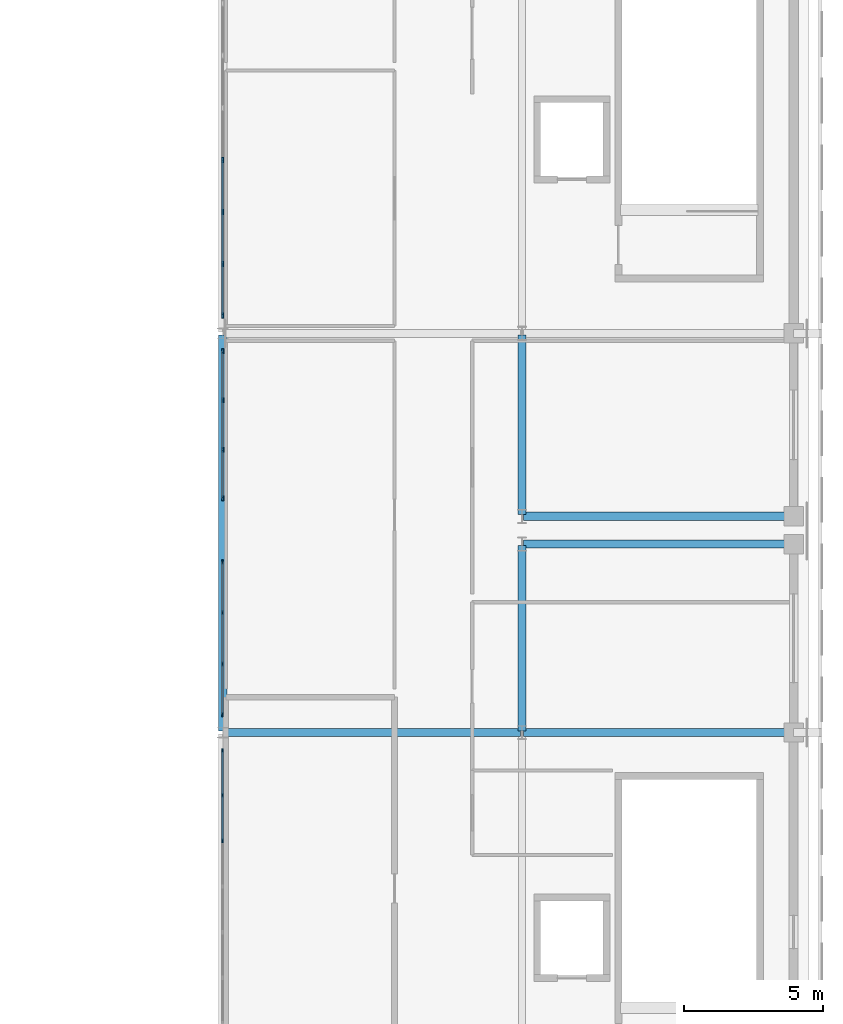
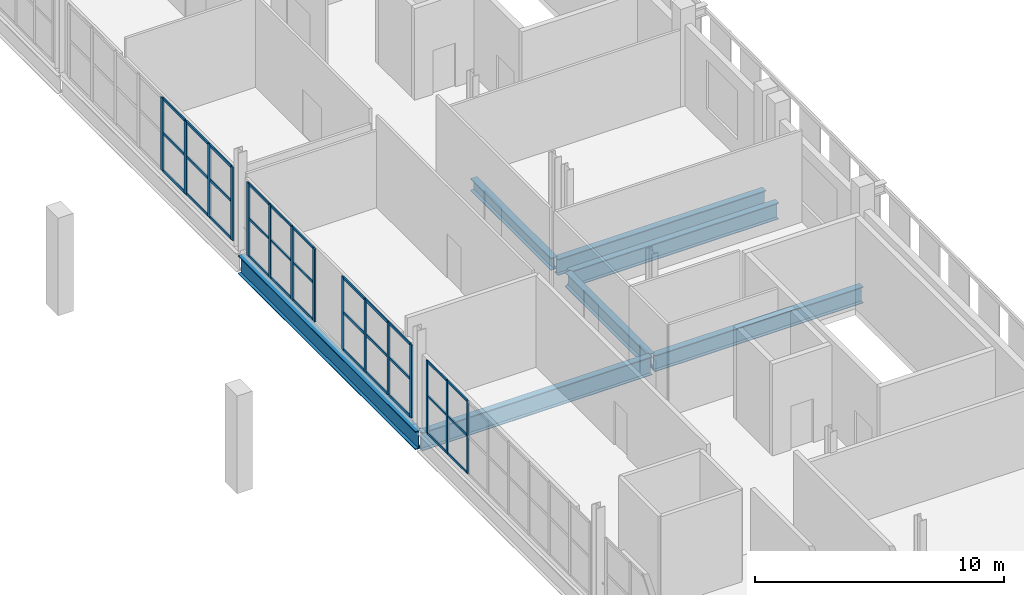
# One storey, part 19 of 51: 48 members, 7 beams, 4 elements without a shape of their own.
"""IFC4 building model written with IfcOpenShell, lengths in metres."""

from ifc_helpers import new_model, si_unit, direction, frame, origin, origin_2d, place, context, subcontext, project, spatial, rectangle, i_section, extrude, material, material_profile, profile_set, type_object, element, aggregate, save


model = new_model("IFC4")

# Units and contexts
model_context = context("Model", 3, precision=1e-05, world=origin(), true_north=direction((0.0, 1.0)))
body_context = subcontext(model_context, "Body", "Model", "MODEL_VIEW")
ifc_project = project(units=[si_unit("LENGTHUNIT", "METRE"), si_unit("AREAUNIT", "SQUARE_METRE"), si_unit("VOLUMEUNIT", "CUBIC_METRE"), si_unit("PLANEANGLEUNIT", "RADIAN"), si_unit("MASSUNIT", "GRAM", prefix="KILO")], contexts=[model_context])

# Site, building, storey
site_placement = place(None, origin())
site = spatial("IfcSite", under=ifc_project, at=site_placement, CompositionType="ELEMENT")
building_placement = place(site_placement, origin())
building = spatial("IfcBuilding", under=site, at=building_placement, Name="Koshinbarg Plaza Stadium", CompositionType="ELEMENT")
storey_placement = place(building_placement, frame((0.0, 0.0, 24.60009765625)))
storey = spatial("IfcBuildingStorey", under=building, at=storey_placement, Name="L05", CompositionType="ELEMENT", Elevation=24.60009765625)

# Beams
ifc_material_1 = material(Name="Steel S355", Category="steel")
ifc_material_profile_1 = material_profile(ifc_material_1, i_section(OverallWidth=0.300048828125, OverallDepth=0.60009765625, WebThickness=0.015380859375, FlangeThickness=0.030029296875, at=origin_2d()), Name="HEB 600")
ifc_profile_set_1 = profile_set([ifc_material_profile_1], Name="Steel S355")
beam_type_1 = type_object("IfcBeamType", Name="BM-SGIR-02", PredefinedType="USERDEFINED", material=ifc_profile_set_1)
beam_1_placement = place(storey_placement, frame((208.60009765625, 76.56005859375, -0.60009765625), z_axis=(0.0, 1.0, 0.0), x_axis=(-1.0, 0.0, 0.0)))
element("IfcBeam", 1, at=beam_1_placement, inside=storey, type_object=beam_type_1, Name="L05 Y girder 20/L-M", ObjectType="GIRDER", PredefinedType="USERDEFINED", context=body_context, shape_type="SweptSolid", body=[
    extrude(i_section(OverallWidth=0.300048828125, OverallDepth=0.60009765625, WebThickness=0.015380859375, FlangeThickness=0.030029296875, at=origin_2d()), origin(), (0.0, 0.0, 1.0), 6.47998046875),
])
ifc_material_profile_2 = material_profile(ifc_material_1, i_section(OverallWidth=0.300048828125, OverallDepth=0.699951171875, WebThickness=0.01708984375, FlangeThickness=0.031982421875, at=origin_2d()), Name="HEB 700")
ifc_profile_set_2 = profile_set([ifc_material_profile_2], Name="Steel S355")
beam_type_2 = type_object("IfcBeamType", Name="BM-SGIR-03", PredefinedType="USERDEFINED", material=ifc_profile_set_2)
beam_2_placement = place(storey_placement, frame((208.60009765625, 68.760009765625, -0.650146484375), z_axis=(0.0, 1.0, 0.0), x_axis=(-1.0, 0.0, 0.0)))
element("IfcBeam", 2, at=beam_2_placement, inside=storey, type_object=beam_type_2, Name="L05 Y girder 20/J-K", ObjectType="GIRDER", PredefinedType="USERDEFINED", context=body_context, shape_type="SweptSolid", body=[
    extrude(i_section(OverallWidth=0.300048828125, OverallDepth=0.699951171875, WebThickness=0.01708984375, FlangeThickness=0.031982421875, at=origin_2d()), origin(), (0.0, 0.0, 1.0), 6.679931640625),
])
ifc_material_profile_3 = material_profile(ifc_material_1, i_section(OverallWidth=0.300048828125, OverallDepth=0.800048828125, WebThickness=0.017578125, FlangeThickness=0.032958984375, at=origin_2d()), Name="HEB 800")
ifc_profile_set_3 = profile_set([ifc_material_profile_3], Name="Steel S355")
beam_type_3 = type_object("IfcBeamType", Name="BM-SGIR-04", PredefinedType="USERDEFINED", material=ifc_profile_set_3)
for number, where, z_axis, x_axis, name in (
    (3, (208.659912109375, 68.699951171875, -0.7001953125), (1.0, 0.0, 0.0), (0.0, 1.0, 0.0), "L05 X girder J/20-21"),
    (4, (208.659912109375, 75.5, -0.7001953125), (1.0, 0.0, 0.0), (0.0, 1.0, 0.0), "L05 X girder K/20-21"),
    (5, (208.659912109375, 76.5, -0.7001953125), (1.0, 0.0, 0.0), (0.0, 1.0, 0.0), "L05 X girder L/20-21"),
):
    element("IfcBeam", number, at=place(storey_placement, frame(where, z_axis=z_axis, x_axis=x_axis)), inside=storey, type_object=beam_type_3, Name=name, ObjectType="GIRDER", PredefinedType="USERDEFINED", context=body_context, shape_type="SweptSolid", body=[
        extrude(i_section(OverallWidth=0.300048828125, OverallDepth=0.800048828125, WebThickness=0.017578125, FlangeThickness=0.032958984375, at=origin_2d()), origin(), (0.0, 0.0, 1.0), 9.68017578125),
    ])
ifc_material_profile_4 = material_profile(ifc_material_1, i_section(OverallWidth=0.300048828125, OverallDepth=0.89990234375, WebThickness=0.0185546875, FlangeThickness=0.034912109375, at=origin_2d()), Name="HEB 900")
ifc_profile_set_4 = profile_set([ifc_material_profile_4], Name="Steel S355")
beam_type_4 = type_object("IfcBeamType", Name="BM-SGIR-05", PredefinedType="USERDEFINED", material=ifc_profile_set_4)
beam_3_placement = place(storey_placement, frame((197.860107421875, 68.699951171875, -0.75), z_axis=(1.0, 0.0, 0.0), x_axis=(0.0, 1.0, 0.0)))
element("IfcBeam", 6, at=beam_3_placement, inside=storey, type_object=beam_type_4, Name="L05 X girder J/19-20", ObjectType="GIRDER", PredefinedType="USERDEFINED", context=body_context, shape_type="SweptSolid", body=[
    extrude(i_section(OverallWidth=0.300048828125, OverallDepth=0.89990234375, WebThickness=0.0185546875, FlangeThickness=0.034912109375, at=origin_2d()), origin(), (0.0, 0.0, 1.0), 10.679931640625),
])
beam_4_placement = place(storey_placement, frame((197.800048828125, 68.760009765625, -0.75), z_axis=(0.0, 1.0, 0.0), x_axis=(-1.0, 0.0, 0.0)))
element("IfcBeam", 7, at=beam_4_placement, inside=storey, type_object=beam_type_4, Name="L05 Y girder 19/J-M", ObjectType="GIRDER", PredefinedType="USERDEFINED", context=body_context, shape_type="SweptSolid", body=[
    extrude(i_section(OverallWidth=0.300048828125, OverallDepth=0.89990234375, WebThickness=0.0185546875, FlangeThickness=0.034912109375, at=origin_2d()), origin(), (0.0, 0.0, 1.0), 14.280029296875),
])

# Curtain wall, members
ifc_material_2 = material(Name="Thermally broken anodised aluminium and low-E double glazing", Category="aluminium")
curtain_wall_type_1 = type_object("IfcCurtainWallType", Name="CW-SYS-01", PredefinedType="NOTDEFINED", material=ifc_material_2)
curtain_wall_1_placement = place(storey_placement, origin())
curtain_wall_1 = element("IfcCurtainWall", 8, at=curtain_wall_1_placement, inside=storey, type_object=curtain_wall_type_1, Name="L05 unitised curtain wall CW-L05-144", PredefinedType="NOTDEFINED")
ifc_material_3 = material(Name="Anodised aluminium mullion", Category="aluminium")
ifc_material_profile_5 = material_profile(ifc_material_3, rectangle(XDim=0.06005859375, YDim=0.139892578125, at=origin_2d()), Name="ALU 60x140")
ifc_profile_set_5 = profile_set([ifc_material_profile_5], Name="Anodised aluminium mullion")
member_type_1 = type_object("IfcMemberType", Name="CW-MUL-01", PredefinedType="MULLION", material=ifc_profile_set_5)
member_1_placement = place(storey_placement, frame((197.800048828125, 64.7900390625, 0.0), z_axis=(0.0, 0.0, 1.0), x_axis=(-1.0, 0.0, 0.0)))
member_1 = element("IfcMember", 9, at=member_1_placement, type_object=member_type_1, Name="CW01 mullion 7", PredefinedType="MULLION", context=body_context, shape_type="SweptSolid", body=[
    extrude(rectangle(XDim=0.06005859375, YDim=0.139892578125, at=origin_2d()), origin(), (0.0, 0.0, 1.0), 3.579833984375),
])
member_2_placement = place(storey_placement, frame((197.800048828125, 66.43505859375, 0.0), z_axis=(0.0, 0.0, 1.0), x_axis=(-1.0, 0.0, 0.0)))
member_2 = element("IfcMember", 10, at=member_2_placement, type_object=member_type_1, Name="CW01 mullion 8", PredefinedType="MULLION", context=body_context, shape_type="SweptSolid", body=[
    extrude(rectangle(XDim=0.06005859375, YDim=0.139892578125, at=origin_2d()), origin(), (0.0, 0.0, 1.0), 3.579833984375),
])
member_3_placement = place(storey_placement, frame((197.800048828125, 68.050048828125, 0.0), z_axis=(0.0, 0.0, 1.0), x_axis=(-1.0, 0.0, 0.0)))
member_3 = element("IfcMember", 11, at=member_3_placement, type_object=member_type_1, Name="CW01 mullion 9", PredefinedType="MULLION", context=body_context, shape_type="SweptSolid", body=[
    extrude(rectangle(XDim=0.06005859375, YDim=0.139892578125, at=origin_2d()), origin(), (0.0, 0.0, 1.0), 3.579833984375),
])

curtain_wall_type_2 = type_object("IfcCurtainWallType", Name="CW-SYS-02", PredefinedType="NOTDEFINED", material=ifc_material_2)
curtain_wall_2_placement = place(storey_placement, origin())
curtain_wall_2 = element("IfcCurtainWall", 12, at=curtain_wall_2_placement, inside=storey, type_object=curtain_wall_type_2, Name="L05 unitised curtain wall CW-L05-145", PredefinedType="NOTDEFINED")
ifc_material_profile_6 = material_profile(ifc_material_3, rectangle(XDim=0.06005859375, YDim=0.159912109375, at=origin_2d()), Name="ALU 60x160")
ifc_profile_set_6 = profile_set([ifc_material_profile_6], Name="Anodised aluminium mullion")
member_type_2 = type_object("IfcMemberType", Name="CW-MUL-02", PredefinedType="MULLION", material=ifc_profile_set_6)
member_4_placement = place(storey_placement, frame((197.800048828125, 69.35009765625, 0.0), z_axis=(0.0, 0.0, 1.0), x_axis=(-1.0, 0.0, 0.0)))
member_4 = element("IfcMember", 13, at=member_4_placement, type_object=member_type_2, Name="CW02 mullion 1", PredefinedType="MULLION", context=body_context, shape_type="SweptSolid", body=[
    extrude(rectangle(XDim=0.06005859375, YDim=0.159912109375, at=origin_2d()), origin(), (0.0, 0.0, 1.0), 3.579833984375),
])
member_5_placement = place(storey_placement, frame((197.800048828125, 71.17333984375, 0.0), z_axis=(0.0, 0.0, 1.0), x_axis=(-1.0, 0.0, 0.0)))
member_5 = element("IfcMember", 14, at=member_5_placement, type_object=member_type_2, Name="CW02 mullion 2", PredefinedType="MULLION", context=body_context, shape_type="SweptSolid", body=[
    extrude(rectangle(XDim=0.06005859375, YDim=0.159912109375, at=origin_2d()), origin(), (0.0, 0.0, 1.0), 3.579833984375),
])
member_6_placement = place(storey_placement, frame((197.800048828125, 73.026611328125, 0.0), z_axis=(0.0, 0.0, 1.0), x_axis=(-1.0, 0.0, 0.0)))
member_6 = element("IfcMember", 15, at=member_6_placement, type_object=member_type_2, Name="CW02 mullion 3", PredefinedType="MULLION", context=body_context, shape_type="SweptSolid", body=[
    extrude(rectangle(XDim=0.06005859375, YDim=0.159912109375, at=origin_2d()), origin(), (0.0, 0.0, 1.0), 3.579833984375),
])
member_7_placement = place(storey_placement, frame((197.800048828125, 74.85009765625, 0.0), z_axis=(0.0, 0.0, 1.0), x_axis=(-1.0, 0.0, 0.0)))
member_7 = element("IfcMember", 16, at=member_7_placement, type_object=member_type_2, Name="CW02 mullion 4", PredefinedType="MULLION", context=body_context, shape_type="SweptSolid", body=[
    extrude(rectangle(XDim=0.06005859375, YDim=0.159912109375, at=origin_2d()), origin(), (0.0, 0.0, 1.0), 3.579833984375),
])

curtain_wall_type_3 = type_object("IfcCurtainWallType", Name="CW-SYS-03", PredefinedType="NOTDEFINED", material=ifc_material_2)
curtain_wall_3_placement = place(storey_placement, origin())
curtain_wall_3 = element("IfcCurtainWall", 17, at=curtain_wall_3_placement, inside=storey, type_object=curtain_wall_type_3, Name="L05 unitised curtain wall CW-L05-146", PredefinedType="NOTDEFINED")
ifc_material_profile_7 = material_profile(ifc_material_3, rectangle(XDim=0.070068359375, YDim=0.179931640625, at=origin_2d()), Name="ALU 70x180")
ifc_profile_set_7 = profile_set([ifc_material_profile_7], Name="Anodised aluminium mullion")
member_type_3 = type_object("IfcMemberType", Name="CW-MUL-03", PredefinedType="MULLION", material=ifc_profile_set_7)
member_8_placement = place(storey_placement, frame((197.800048828125, 77.14990234375, 0.0), z_axis=(0.0, 0.0, 1.0), x_axis=(-1.0, 0.0, 0.0)))
member_8 = element("IfcMember", 18, at=member_8_placement, type_object=member_type_3, Name="CW03 mullion 1", PredefinedType="MULLION", context=body_context, shape_type="SweptSolid", body=[
    extrude(rectangle(XDim=0.070068359375, YDim=0.179931640625, at=origin_2d()), origin(), (0.0, 0.0, 1.0), 3.579833984375),
])
member_9_placement = place(storey_placement, frame((197.800048828125, 78.90673828125, 0.0), z_axis=(0.0, 0.0, 1.0), x_axis=(-1.0, 0.0, 0.0)))
member_9 = element("IfcMember", 19, at=member_9_placement, type_object=member_type_3, Name="CW03 mullion 2", PredefinedType="MULLION", context=body_context, shape_type="SweptSolid", body=[
    extrude(rectangle(XDim=0.070068359375, YDim=0.179931640625, at=origin_2d()), origin(), (0.0, 0.0, 1.0), 3.579833984375),
])
member_10_placement = place(storey_placement, frame((197.800048828125, 80.693359375, 0.0), z_axis=(0.0, 0.0, 1.0), x_axis=(-1.0, 0.0, 0.0)))
member_10 = element("IfcMember", 20, at=member_10_placement, type_object=member_type_3, Name="CW03 mullion 3", PredefinedType="MULLION", context=body_context, shape_type="SweptSolid", body=[
    extrude(rectangle(XDim=0.070068359375, YDim=0.179931640625, at=origin_2d()), origin(), (0.0, 0.0, 1.0), 3.579833984375),
])
member_11_placement = place(storey_placement, frame((197.800048828125, 82.449951171875, 0.0), z_axis=(0.0, 0.0, 1.0), x_axis=(-1.0, 0.0, 0.0)))
member_11 = element("IfcMember", 21, at=member_11_placement, type_object=member_type_3, Name="CW03 mullion 4", PredefinedType="MULLION", context=body_context, shape_type="SweptSolid", body=[
    extrude(rectangle(XDim=0.070068359375, YDim=0.179931640625, at=origin_2d()), origin(), (0.0, 0.0, 1.0), 3.579833984375),
])

curtain_wall_type_4 = type_object("IfcCurtainWallType", Name="CW-SYS-04", PredefinedType="NOTDEFINED", material=ifc_material_2)
curtain_wall_4_placement = place(storey_placement, origin())
curtain_wall_4 = element("IfcCurtainWall", 22, at=curtain_wall_4_placement, inside=storey, type_object=curtain_wall_type_4, Name="L05 unitised curtain wall CW-L05-147", PredefinedType="NOTDEFINED")
ifc_material_profile_8 = material_profile(ifc_material_3, rectangle(XDim=0.070068359375, YDim=0.199951171875, at=origin_2d()), Name="ALU 70x200")
ifc_profile_set_8 = profile_set([ifc_material_profile_8], Name="Anodised aluminium mullion")
member_type_4 = type_object("IfcMemberType", Name="CW-MUL-04", PredefinedType="MULLION", material=ifc_profile_set_8)
member_12_placement = place(storey_placement, frame((197.800048828125, 83.75, 0.0), z_axis=(0.0, 0.0, 1.0), x_axis=(-1.0, 0.0, 0.0)))
member_12 = element("IfcMember", 23, at=member_12_placement, type_object=member_type_4, Name="CW04 mullion 1", PredefinedType="MULLION", context=body_context, shape_type="SweptSolid", body=[
    extrude(rectangle(XDim=0.070068359375, YDim=0.199951171875, at=origin_2d()), origin(), (0.0, 0.0, 1.0), 3.579833984375),
])
member_13_placement = place(storey_placement, frame((197.800048828125, 85.60009765625, 0.0), z_axis=(0.0, 0.0, 1.0), x_axis=(-1.0, 0.0, 0.0)))
member_13 = element("IfcMember", 24, at=member_13_placement, type_object=member_type_4, Name="CW04 mullion 2", PredefinedType="MULLION", context=body_context, shape_type="SweptSolid", body=[
    extrude(rectangle(XDim=0.070068359375, YDim=0.199951171875, at=origin_2d()), origin(), (0.0, 0.0, 1.0), 3.579833984375),
])
member_14_placement = place(storey_placement, frame((197.800048828125, 87.47998046875, 0.0), z_axis=(0.0, 0.0, 1.0), x_axis=(-1.0, 0.0, 0.0)))
member_14 = element("IfcMember", 25, at=member_14_placement, type_object=member_type_4, Name="CW04 mullion 3", PredefinedType="MULLION", context=body_context, shape_type="SweptSolid", body=[
    extrude(rectangle(XDim=0.070068359375, YDim=0.199951171875, at=origin_2d()), origin(), (0.0, 0.0, 1.0), 3.579833984375),
])
member_15_placement = place(storey_placement, frame((197.800048828125, 89.360107421875, 0.0), z_axis=(0.0, 0.0, 1.0), x_axis=(-1.0, 0.0, 0.0)))
member_15 = element("IfcMember", 26, at=member_15_placement, type_object=member_type_4, Name="CW04 mullion 4", PredefinedType="MULLION", context=body_context, shape_type="SweptSolid", body=[
    extrude(rectangle(XDim=0.070068359375, YDim=0.199951171875, at=origin_2d()), origin(), (0.0, 0.0, 1.0), 3.579833984375),
])

# Member
ifc_material_4 = material(Name="Anodised aluminium transom", Category="aluminium")
ifc_material_profile_9 = material_profile(ifc_material_4, rectangle(XDim=0.06005859375, YDim=0.110107421875, at=origin_2d()), Name="ALU 60x110")
ifc_profile_set_9 = profile_set([ifc_material_profile_9], Name="Anodised aluminium transom")
member_type_5 = type_object("IfcMemberType", Name="CW-TRN-01", PredefinedType="USERDEFINED", material=ifc_profile_set_9)
member_16_placement = place(storey_placement, frame((197.800048828125, 64.820068359375, 0.02978515625), z_axis=(0.0, 1.0, 0.0), x_axis=(-1.0, 0.0, 0.0)))
member_16 = element("IfcMember", 27, at=member_16_placement, type_object=member_type_5, Name="CW01 transom 7.1", ObjectType="TRANSOM", PredefinedType="USERDEFINED", context=body_context, shape_type="SweptSolid", body=[
    extrude(rectangle(XDim=0.06005859375, YDim=0.110107421875, at=origin_2d()), origin(), (0.0, 0.0, 1.0), 1.5849609375),
])

member_17_placement = place(storey_placement, frame((197.800048828125, 64.820068359375, 1.861572265625), z_axis=(0.0, 1.0, 0.0), x_axis=(-1.0, 0.0, 0.0)))
member_17 = element("IfcMember", 28, at=member_17_placement, type_object=member_type_5, Name="CW01 transom 7.2", ObjectType="TRANSOM", PredefinedType="USERDEFINED", context=body_context, shape_type="SweptSolid", body=[
    extrude(rectangle(XDim=0.06005859375, YDim=0.110107421875, at=origin_2d()), origin(), (0.0, 0.0, 1.0), 1.5849609375),
])

member_18_placement = place(storey_placement, frame((197.800048828125, 64.820068359375, 3.5498046875), z_axis=(0.0, 1.0, 0.0), x_axis=(-1.0, 0.0, 0.0)))
member_18 = element("IfcMember", 29, at=member_18_placement, type_object=member_type_5, Name="CW01 transom 7.3", ObjectType="TRANSOM", PredefinedType="USERDEFINED", context=body_context, shape_type="SweptSolid", body=[
    extrude(rectangle(XDim=0.06005859375, YDim=0.110107421875, at=origin_2d()), origin(), (0.0, 0.0, 1.0), 1.5849609375),
])

member_19_placement = place(storey_placement, frame((197.800048828125, 66.465087890625, 0.02978515625), z_axis=(0.0, 1.0, 0.0), x_axis=(-1.0, 0.0, 0.0)))
member_19 = element("IfcMember", 30, at=member_19_placement, type_object=member_type_5, Name="CW01 transom 8.1", ObjectType="TRANSOM", PredefinedType="USERDEFINED", context=body_context, shape_type="SweptSolid", body=[
    extrude(rectangle(XDim=0.06005859375, YDim=0.110107421875, at=origin_2d()), origin(), (0.0, 0.0, 1.0), 1.554931640625),
])

member_20_placement = place(storey_placement, frame((197.800048828125, 66.465087890625, 1.861572265625), z_axis=(0.0, 1.0, 0.0), x_axis=(-1.0, 0.0, 0.0)))
member_20 = element("IfcMember", 31, at=member_20_placement, type_object=member_type_5, Name="CW01 transom 8.2", ObjectType="TRANSOM", PredefinedType="USERDEFINED", context=body_context, shape_type="SweptSolid", body=[
    extrude(rectangle(XDim=0.06005859375, YDim=0.110107421875, at=origin_2d()), origin(), (0.0, 0.0, 1.0), 1.554931640625),
])

member_21_placement = place(storey_placement, frame((197.800048828125, 66.465087890625, 3.5498046875), z_axis=(0.0, 1.0, 0.0), x_axis=(-1.0, 0.0, 0.0)))
member_21 = element("IfcMember", 32, at=member_21_placement, type_object=member_type_5, Name="CW01 transom 8.3", ObjectType="TRANSOM", PredefinedType="USERDEFINED", context=body_context, shape_type="SweptSolid", body=[
    extrude(rectangle(XDim=0.06005859375, YDim=0.110107421875, at=origin_2d()), origin(), (0.0, 0.0, 1.0), 1.554931640625),
])

aggregate(curtain_wall_1, [member_1, member_2, member_3, member_16, member_17, member_18, member_19, member_20, member_21])

member_22_placement = place(storey_placement, frame((197.800048828125, 77.179931640625, 0.02978515625), z_axis=(0.0, 1.0, 0.0), x_axis=(-1.0, 0.0, 0.0)))
member_22 = element("IfcMember", 33, at=member_22_placement, type_object=member_type_5, Name="CW03 transom 1.1", ObjectType="TRANSOM", PredefinedType="USERDEFINED", context=body_context, shape_type="SweptSolid", body=[
    extrude(rectangle(XDim=0.06005859375, YDim=0.110107421875, at=origin_2d()), origin(), (0.0, 0.0, 1.0), 1.69677734375),
])

member_23_placement = place(storey_placement, frame((197.800048828125, 77.179931640625, 1.861572265625), z_axis=(0.0, 1.0, 0.0), x_axis=(-1.0, 0.0, 0.0)))
member_23 = element("IfcMember", 34, at=member_23_placement, type_object=member_type_5, Name="CW03 transom 1.2", ObjectType="TRANSOM", PredefinedType="USERDEFINED", context=body_context, shape_type="SweptSolid", body=[
    extrude(rectangle(XDim=0.06005859375, YDim=0.110107421875, at=origin_2d()), origin(), (0.0, 0.0, 1.0), 1.69677734375),
])

member_24_placement = place(storey_placement, frame((197.800048828125, 77.179931640625, 3.5498046875), z_axis=(0.0, 1.0, 0.0), x_axis=(-1.0, 0.0, 0.0)))
member_24 = element("IfcMember", 35, at=member_24_placement, type_object=member_type_5, Name="CW03 transom 1.3", ObjectType="TRANSOM", PredefinedType="USERDEFINED", context=body_context, shape_type="SweptSolid", body=[
    extrude(rectangle(XDim=0.06005859375, YDim=0.110107421875, at=origin_2d()), origin(), (0.0, 0.0, 1.0), 1.69677734375),
])

member_25_placement = place(storey_placement, frame((197.800048828125, 78.936767578125, 0.02978515625), z_axis=(0.0, 1.0, 0.0), x_axis=(-1.0, 0.0, 0.0)))
member_25 = element("IfcMember", 36, at=member_25_placement, type_object=member_type_5, Name="CW03 transom 2.1", ObjectType="TRANSOM", PredefinedType="USERDEFINED", context=body_context, shape_type="SweptSolid", body=[
    extrude(rectangle(XDim=0.06005859375, YDim=0.110107421875, at=origin_2d()), origin(), (0.0, 0.0, 1.0), 1.7265625),
])

member_26_placement = place(storey_placement, frame((197.800048828125, 78.936767578125, 1.861572265625), z_axis=(0.0, 1.0, 0.0), x_axis=(-1.0, 0.0, 0.0)))
member_26 = element("IfcMember", 37, at=member_26_placement, type_object=member_type_5, Name="CW03 transom 2.2", ObjectType="TRANSOM", PredefinedType="USERDEFINED", context=body_context, shape_type="SweptSolid", body=[
    extrude(rectangle(XDim=0.06005859375, YDim=0.110107421875, at=origin_2d()), origin(), (0.0, 0.0, 1.0), 1.7265625),
])

member_27_placement = place(storey_placement, frame((197.800048828125, 78.936767578125, 3.5498046875), z_axis=(0.0, 1.0, 0.0), x_axis=(-1.0, 0.0, 0.0)))
member_27 = element("IfcMember", 38, at=member_27_placement, type_object=member_type_5, Name="CW03 transom 2.3", ObjectType="TRANSOM", PredefinedType="USERDEFINED", context=body_context, shape_type="SweptSolid", body=[
    extrude(rectangle(XDim=0.06005859375, YDim=0.110107421875, at=origin_2d()), origin(), (0.0, 0.0, 1.0), 1.7265625),
])

member_28_placement = place(storey_placement, frame((197.800048828125, 80.723388671875, 0.02978515625), z_axis=(0.0, 1.0, 0.0), x_axis=(-1.0, 0.0, 0.0)))
member_28 = element("IfcMember", 39, at=member_28_placement, type_object=member_type_5, Name="CW03 transom 3.1", ObjectType="TRANSOM", PredefinedType="USERDEFINED", context=body_context, shape_type="SweptSolid", body=[
    extrude(rectangle(XDim=0.06005859375, YDim=0.110107421875, at=origin_2d()), origin(), (0.0, 0.0, 1.0), 1.696533203125),
])

member_29_placement = place(storey_placement, frame((197.800048828125, 80.723388671875, 1.861572265625), z_axis=(0.0, 1.0, 0.0), x_axis=(-1.0, 0.0, 0.0)))
member_29 = element("IfcMember", 40, at=member_29_placement, type_object=member_type_5, Name="CW03 transom 3.2", ObjectType="TRANSOM", PredefinedType="USERDEFINED", context=body_context, shape_type="SweptSolid", body=[
    extrude(rectangle(XDim=0.06005859375, YDim=0.110107421875, at=origin_2d()), origin(), (0.0, 0.0, 1.0), 1.696533203125),
])

member_30_placement = place(storey_placement, frame((197.800048828125, 80.723388671875, 3.5498046875), z_axis=(0.0, 1.0, 0.0), x_axis=(-1.0, 0.0, 0.0)))
member_30 = element("IfcMember", 41, at=member_30_placement, type_object=member_type_5, Name="CW03 transom 3.3", ObjectType="TRANSOM", PredefinedType="USERDEFINED", context=body_context, shape_type="SweptSolid", body=[
    extrude(rectangle(XDim=0.06005859375, YDim=0.110107421875, at=origin_2d()), origin(), (0.0, 0.0, 1.0), 1.696533203125),
])

aggregate(curtain_wall_3, [member_8, member_9, member_10, member_11, member_22, member_23, member_24, member_25, member_26, member_27, member_28, member_29, member_30])

ifc_material_profile_10 = material_profile(ifc_material_4, rectangle(XDim=0.06005859375, YDim=0.1298828125, at=origin_2d()), Name="ALU 60x130")
ifc_profile_set_10 = profile_set([ifc_material_profile_10], Name="Anodised aluminium transom")
member_type_6 = type_object("IfcMemberType", Name="CW-TRN-02", PredefinedType="USERDEFINED", material=ifc_profile_set_10)
member_31_placement = place(storey_placement, frame((197.800048828125, 69.3798828125, 0.02978515625), z_axis=(0.0, 1.0, 0.0), x_axis=(-1.0, 0.0, 0.0)))
member_31 = element("IfcMember", 42, at=member_31_placement, type_object=member_type_6, Name="CW02 transom 1.1", ObjectType="TRANSOM", PredefinedType="USERDEFINED", context=body_context, shape_type="SweptSolid", body=[
    extrude(rectangle(XDim=0.06005859375, YDim=0.1298828125, at=origin_2d()), origin(), (0.0, 0.0, 1.0), 1.763427734375),
])

member_32_placement = place(storey_placement, frame((197.800048828125, 69.3798828125, 1.861572265625), z_axis=(0.0, 1.0, 0.0), x_axis=(-1.0, 0.0, 0.0)))
member_32 = element("IfcMember", 43, at=member_32_placement, type_object=member_type_6, Name="CW02 transom 1.2", ObjectType="TRANSOM", PredefinedType="USERDEFINED", context=body_context, shape_type="SweptSolid", body=[
    extrude(rectangle(XDim=0.06005859375, YDim=0.1298828125, at=origin_2d()), origin(), (0.0, 0.0, 1.0), 1.763427734375),
])

member_33_placement = place(storey_placement, frame((197.800048828125, 69.3798828125, 3.5498046875), z_axis=(0.0, 1.0, 0.0), x_axis=(-1.0, 0.0, 0.0)))
member_33 = element("IfcMember", 44, at=member_33_placement, type_object=member_type_6, Name="CW02 transom 1.3", ObjectType="TRANSOM", PredefinedType="USERDEFINED", context=body_context, shape_type="SweptSolid", body=[
    extrude(rectangle(XDim=0.06005859375, YDim=0.1298828125, at=origin_2d()), origin(), (0.0, 0.0, 1.0), 1.763427734375),
])

member_34_placement = place(storey_placement, frame((197.800048828125, 71.203369140625, 0.02978515625), z_axis=(0.0, 1.0, 0.0), x_axis=(-1.0, 0.0, 0.0)))
member_34 = element("IfcMember", 45, at=member_34_placement, type_object=member_type_6, Name="CW02 transom 2.1", ObjectType="TRANSOM", PredefinedType="USERDEFINED", context=body_context, shape_type="SweptSolid", body=[
    extrude(rectangle(XDim=0.06005859375, YDim=0.1298828125, at=origin_2d()), origin(), (0.0, 0.0, 1.0), 1.793212890625),
])

member_35_placement = place(storey_placement, frame((197.800048828125, 71.203369140625, 1.861572265625), z_axis=(0.0, 1.0, 0.0), x_axis=(-1.0, 0.0, 0.0)))
member_35 = element("IfcMember", 46, at=member_35_placement, type_object=member_type_6, Name="CW02 transom 2.2", ObjectType="TRANSOM", PredefinedType="USERDEFINED", context=body_context, shape_type="SweptSolid", body=[
    extrude(rectangle(XDim=0.06005859375, YDim=0.1298828125, at=origin_2d()), origin(), (0.0, 0.0, 1.0), 1.793212890625),
])

member_36_placement = place(storey_placement, frame((197.800048828125, 71.203369140625, 3.5498046875), z_axis=(0.0, 1.0, 0.0), x_axis=(-1.0, 0.0, 0.0)))
member_36 = element("IfcMember", 47, at=member_36_placement, type_object=member_type_6, Name="CW02 transom 2.3", ObjectType="TRANSOM", PredefinedType="USERDEFINED", context=body_context, shape_type="SweptSolid", body=[
    extrude(rectangle(XDim=0.06005859375, YDim=0.1298828125, at=origin_2d()), origin(), (0.0, 0.0, 1.0), 1.793212890625),
])

member_37_placement = place(storey_placement, frame((197.800048828125, 73.056640625, 0.02978515625), z_axis=(0.0, 1.0, 0.0), x_axis=(-1.0, 0.0, 0.0)))
member_37 = element("IfcMember", 48, at=member_37_placement, type_object=member_type_6, Name="CW02 transom 3.1", ObjectType="TRANSOM", PredefinedType="USERDEFINED", context=body_context, shape_type="SweptSolid", body=[
    extrude(rectangle(XDim=0.06005859375, YDim=0.1298828125, at=origin_2d()), origin(), (0.0, 0.0, 1.0), 1.763427734375),
])

member_38_placement = place(storey_placement, frame((197.800048828125, 73.056640625, 1.861572265625), z_axis=(0.0, 1.0, 0.0), x_axis=(-1.0, 0.0, 0.0)))
member_38 = element("IfcMember", 49, at=member_38_placement, type_object=member_type_6, Name="CW02 transom 3.2", ObjectType="TRANSOM", PredefinedType="USERDEFINED", context=body_context, shape_type="SweptSolid", body=[
    extrude(rectangle(XDim=0.06005859375, YDim=0.1298828125, at=origin_2d()), origin(), (0.0, 0.0, 1.0), 1.763427734375),
])

member_39_placement = place(storey_placement, frame((197.800048828125, 73.056640625, 3.5498046875), z_axis=(0.0, 1.0, 0.0), x_axis=(-1.0, 0.0, 0.0)))
member_39 = element("IfcMember", 50, at=member_39_placement, type_object=member_type_6, Name="CW02 transom 3.3", ObjectType="TRANSOM", PredefinedType="USERDEFINED", context=body_context, shape_type="SweptSolid", body=[
    extrude(rectangle(XDim=0.06005859375, YDim=0.1298828125, at=origin_2d()), origin(), (0.0, 0.0, 1.0), 1.763427734375),
])

aggregate(curtain_wall_2, [member_4, member_5, member_6, member_7, member_31, member_32, member_33, member_34, member_35, member_36, member_37, member_38, member_39])

member_40_placement = place(storey_placement, frame((197.800048828125, 83.780029296875, 0.02978515625), z_axis=(0.0, 1.0, 0.0), x_axis=(-1.0, 0.0, 0.0)))
member_40 = element("IfcMember", 51, at=member_40_placement, type_object=member_type_6, Name="CW04 transom 1.1", ObjectType="TRANSOM", PredefinedType="USERDEFINED", context=body_context, shape_type="SweptSolid", body=[
    extrude(rectangle(XDim=0.06005859375, YDim=0.1298828125, at=origin_2d()), origin(), (0.0, 0.0, 1.0), 1.7900390625),
])

member_41_placement = place(storey_placement, frame((197.800048828125, 83.780029296875, 1.861572265625), z_axis=(0.0, 1.0, 0.0), x_axis=(-1.0, 0.0, 0.0)))
member_41 = element("IfcMember", 52, at=member_41_placement, type_object=member_type_6, Name="CW04 transom 1.2", ObjectType="TRANSOM", PredefinedType="USERDEFINED", context=body_context, shape_type="SweptSolid", body=[
    extrude(rectangle(XDim=0.06005859375, YDim=0.1298828125, at=origin_2d()), origin(), (0.0, 0.0, 1.0), 1.7900390625),
])

member_42_placement = place(storey_placement, frame((197.800048828125, 83.780029296875, 3.5498046875), z_axis=(0.0, 1.0, 0.0), x_axis=(-1.0, 0.0, 0.0)))
member_42 = element("IfcMember", 53, at=member_42_placement, type_object=member_type_6, Name="CW04 transom 1.3", ObjectType="TRANSOM", PredefinedType="USERDEFINED", context=body_context, shape_type="SweptSolid", body=[
    extrude(rectangle(XDim=0.06005859375, YDim=0.1298828125, at=origin_2d()), origin(), (0.0, 0.0, 1.0), 1.7900390625),
])

member_43_placement = place(storey_placement, frame((197.800048828125, 85.6298828125, 0.02978515625), z_axis=(0.0, 1.0, 0.0), x_axis=(-1.0, 0.0, 0.0)))
member_43 = element("IfcMember", 54, at=member_43_placement, type_object=member_type_6, Name="CW04 transom 2.1", ObjectType="TRANSOM", PredefinedType="USERDEFINED", context=body_context, shape_type="SweptSolid", body=[
    extrude(rectangle(XDim=0.06005859375, YDim=0.1298828125, at=origin_2d()), origin(), (0.0, 0.0, 1.0), 1.820068359375),
])

member_44_placement = place(storey_placement, frame((197.800048828125, 85.6298828125, 1.861572265625), z_axis=(0.0, 1.0, 0.0), x_axis=(-1.0, 0.0, 0.0)))
member_44 = element("IfcMember", 55, at=member_44_placement, type_object=member_type_6, Name="CW04 transom 2.2", ObjectType="TRANSOM", PredefinedType="USERDEFINED", context=body_context, shape_type="SweptSolid", body=[
    extrude(rectangle(XDim=0.06005859375, YDim=0.1298828125, at=origin_2d()), origin(), (0.0, 0.0, 1.0), 1.820068359375),
])

member_45_placement = place(storey_placement, frame((197.800048828125, 85.6298828125, 3.5498046875), z_axis=(0.0, 1.0, 0.0), x_axis=(-1.0, 0.0, 0.0)))
member_45 = element("IfcMember", 56, at=member_45_placement, type_object=member_type_6, Name="CW04 transom 2.3", ObjectType="TRANSOM", PredefinedType="USERDEFINED", context=body_context, shape_type="SweptSolid", body=[
    extrude(rectangle(XDim=0.06005859375, YDim=0.1298828125, at=origin_2d()), origin(), (0.0, 0.0, 1.0), 1.820068359375),
])

member_46_placement = place(storey_placement, frame((197.800048828125, 87.510009765625, 0.02978515625), z_axis=(0.0, 1.0, 0.0), x_axis=(-1.0, 0.0, 0.0)))
member_46 = element("IfcMember", 57, at=member_46_placement, type_object=member_type_6, Name="CW04 transom 3.1", ObjectType="TRANSOM", PredefinedType="USERDEFINED", context=body_context, shape_type="SweptSolid", body=[
    extrude(rectangle(XDim=0.06005859375, YDim=0.1298828125, at=origin_2d()), origin(), (0.0, 0.0, 1.0), 1.820068359375),
])

member_47_placement = place(storey_placement, frame((197.800048828125, 87.510009765625, 1.861572265625), z_axis=(0.0, 1.0, 0.0), x_axis=(-1.0, 0.0, 0.0)))
member_47 = element("IfcMember", 58, at=member_47_placement, type_object=member_type_6, Name="CW04 transom 3.2", ObjectType="TRANSOM", PredefinedType="USERDEFINED", context=body_context, shape_type="SweptSolid", body=[
    extrude(rectangle(XDim=0.06005859375, YDim=0.1298828125, at=origin_2d()), origin(), (0.0, 0.0, 1.0), 1.820068359375),
])

member_48_placement = place(storey_placement, frame((197.800048828125, 87.510009765625, 3.5498046875), z_axis=(0.0, 1.0, 0.0), x_axis=(-1.0, 0.0, 0.0)))
member_48 = element("IfcMember", 59, at=member_48_placement, type_object=member_type_6, Name="CW04 transom 3.3", ObjectType="TRANSOM", PredefinedType="USERDEFINED", context=body_context, shape_type="SweptSolid", body=[
    extrude(rectangle(XDim=0.06005859375, YDim=0.1298828125, at=origin_2d()), origin(), (0.0, 0.0, 1.0), 1.820068359375),
])

aggregate(curtain_wall_4, [member_12, member_13, member_14, member_15, member_40, member_41, member_42, member_43, member_44, member_45, member_46, member_47, member_48])

save(model, "model.ifc")
